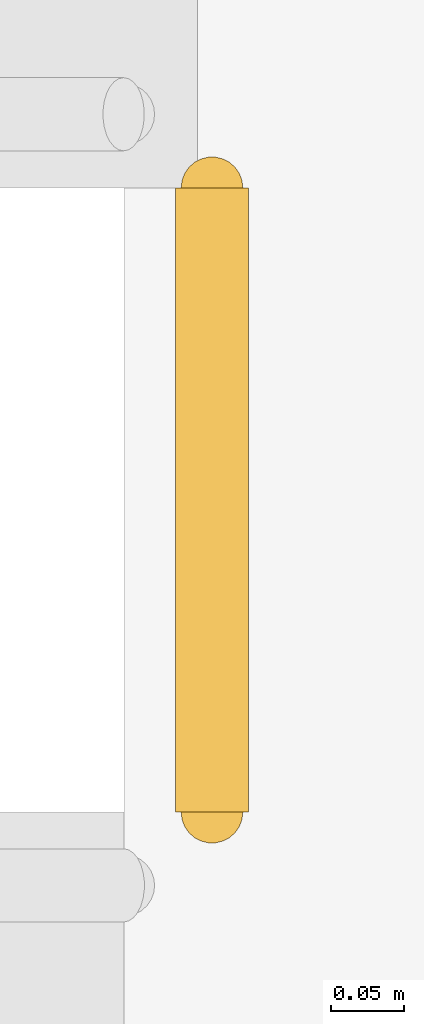
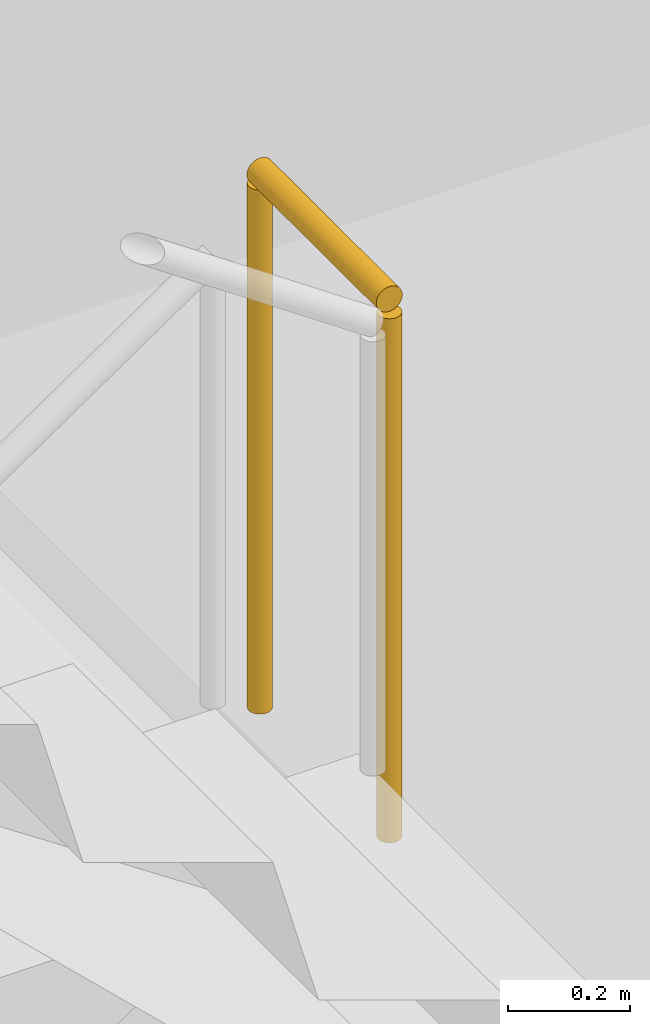
# One storey, part 52 of 57: 1 railing.
"""IFC4 building model written with IfcOpenShell, lengths in metres."""

from ifc_helpers import new_model, si_unit, direction, frame, origin, origin_2d, place, context, subcontext, project, spatial, circle, extrude, material, type_object, element, save


model = new_model("IFC4")

# Units and contexts
model_context = context("Model", 3, precision=1e-05, world=origin(), true_north=direction((0.0, 1.0)))
body_context = subcontext(model_context, "Body", "Model", "MODEL_VIEW")
ifc_project = project(units=[si_unit("LENGTHUNIT", "METRE"), si_unit("AREAUNIT", "SQUARE_METRE"), si_unit("VOLUMEUNIT", "CUBIC_METRE"), si_unit("PLANEANGLEUNIT", "RADIAN"), si_unit("MASSUNIT", "GRAM", prefix="KILO")], contexts=[model_context])

# Site, building, storey
site_placement = place(None, origin())
site = spatial("IfcSite", under=ifc_project, at=site_placement, CompositionType="ELEMENT")
building_placement = place(site_placement, origin())
building = spatial("IfcBuilding", under=site, at=building_placement, Name="Cour d'Honneur Mobility Palace", CompositionType="ELEMENT")
storey_placement = place(building_placement, frame((0.0, 0.0, 8.199951171875)))
storey = spatial("IfcBuildingStorey", under=building, at=storey_placement, Name="L02", CompositionType="ELEMENT", Elevation=8.199951171875)

# Railing
ifc_material = material(Name="Painted steel", Category="steel")
railing_type = type_object("IfcRailingType", Name="Guardrail 1100", PredefinedType="GUARDRAIL", material=ifc_material)
railing_placement = place(storey_placement, frame((159.68994140625, 112.64990234375, 1.85009765625)))
element("IfcRailing", 1, at=railing_placement, inside=storey, type_object=railing_type, Name="Landing guard ST-NE1", PredefinedType="GUARDRAIL", context=body_context, shape_type="SweptSolid", body=[
    extrude(circle(Radius=0.02490234375, at=origin_2d()), frame((0.0, 0.0, 1.0751953125), z_axis=(0.0, 1.0, 0.0), x_axis=(-1.0, 0.0, 0.0)), (0.0, 0.0, 1.0), 0.425048828125),
    extrude(circle(Radius=0.02099609375, at=origin_2d()), origin(), (0.0, 0.0, 1.0), 1.050048828125),
    extrude(circle(Radius=0.02099609375, at=origin_2d()), frame((0.0, 0.425048828125, 0.0)), (0.0, 0.0, 1.0), 1.050048828125),
])

save(model, "model.ifc")
